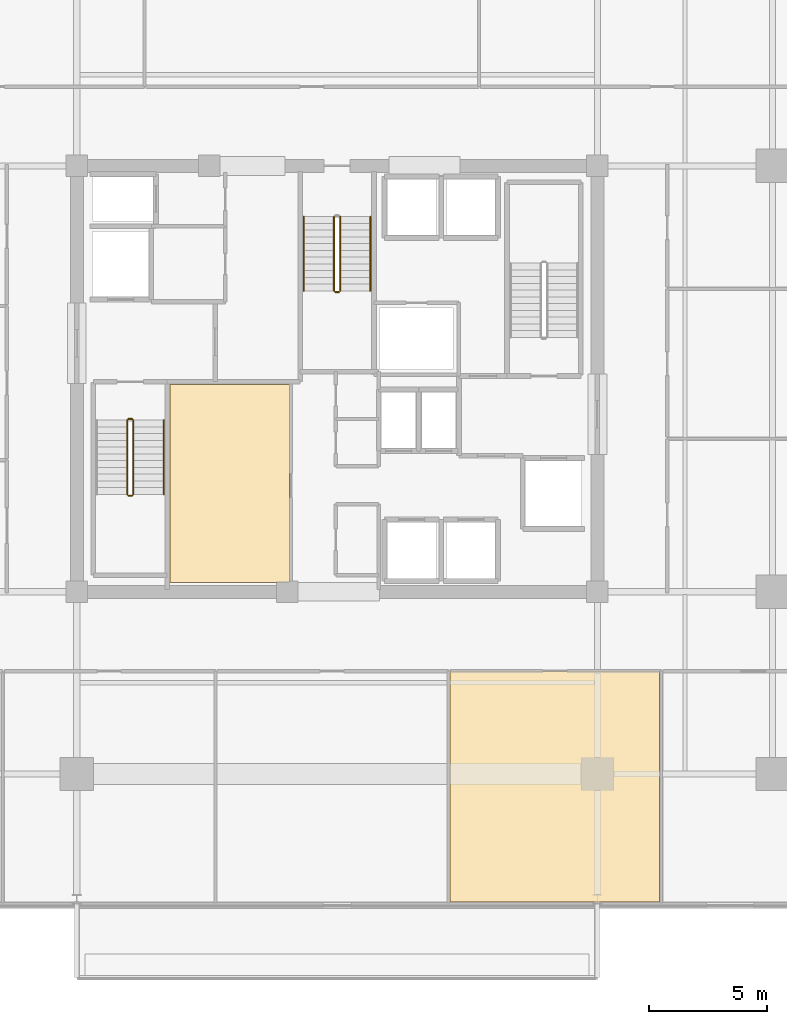
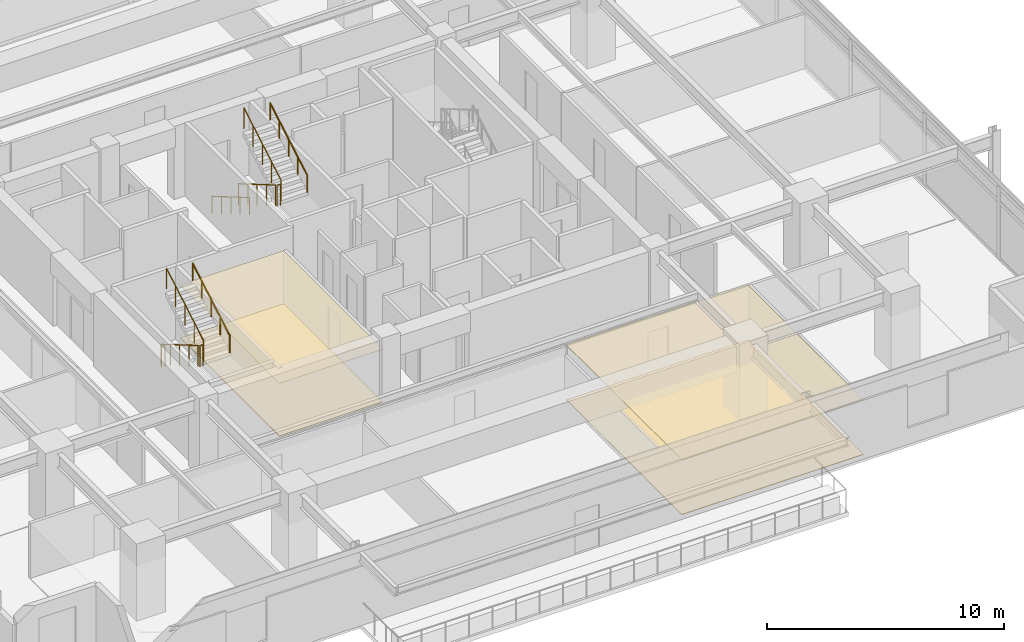
# One storey, part 19 of 22: 10 railings, 4 coverings.
"""IFC4 building model written with IfcOpenShell, lengths in metres."""

from ifc_helpers import new_model, si_unit, direction, frame, origin, origin_2d, place, context, subcontext, project, spatial, polyline, circle, outline, extrude, material, layer, layer_set, type_object, element, save


model = new_model("IFC4")

# Units and contexts
model_context = context("Model", 3, precision=1e-05, world=origin(), true_north=direction((0.0, 1.0)))
body_context = subcontext(model_context, "Body", "Model", "MODEL_VIEW")
ifc_project = project(units=[si_unit("LENGTHUNIT", "METRE"), si_unit("AREAUNIT", "SQUARE_METRE"), si_unit("VOLUMEUNIT", "CUBIC_METRE"), si_unit("PLANEANGLEUNIT", "RADIAN"), si_unit("MASSUNIT", "GRAM", prefix="KILO")], contexts=[model_context])

# Site, building, storey
site_placement = place(None, origin())
site = spatial("IfcSite", under=ifc_project, at=site_placement, CompositionType="ELEMENT")
building_placement = place(site_placement, origin())
building = spatial("IfcBuilding", under=site, at=building_placement, Name="Kovane Verandah Tower", CompositionType="ELEMENT")
storey_placement = place(building_placement, frame((0.0, 0.0, 225.199951171875)))
storey = spatial("IfcBuildingStorey", under=building, at=storey_placement, Name="L52", CompositionType="ELEMENT", Elevation=225.199951171875)

# Coverings
ifc_material_1 = material(Name="Perforated Acoustic Mineral-Fibre Ceiling Tile", Category="gypsum")
ifc_layer_1 = layer(ifc_material_1, 0.02490234375)
ifc_layer_set_1 = layer_set([ifc_layer_1], Name="Perforated Acoustic Mineral-Fibre Ceiling Tile")
covering_type_1 = type_object("IfcCoveringType", Name="CV-CEIL-25", PredefinedType="CEILING", material=ifc_layer_set_1)
covering_1_placement = place(storey_placement, frame((0.0, 0.0, 2.72998046875)))
element("IfcCovering", 1, at=covering_1_placement, inside=storey, type_object=covering_type_1, Name="L52 Tenant Wellness and Archive Suite Acoustic Ceiling", PredefinedType="CEILING", context=body_context, shape_type="SweptSolid", body=[
    extrude(outline(polyline([(32.93505859375, 18.885009765625), (37.9951171875, 18.885009765625), (37.9951171875, 27.264892578125), (32.93505859375, 27.264892578125), (32.93505859375, 18.885009765625)])), origin(), (0.0, 0.0, 1.0), 0.025146484375),
])
covering_2_placement = place(storey_placement, frame((0.0, 0.0, 2.824951171875)))
element("IfcCovering", 2, at=covering_2_placement, inside=storey, type_object=covering_type_1, Name="L52 Open Plan Office S4 Acoustic Ceiling", PredefinedType="CEILING", context=body_context, shape_type="SweptSolid", body=[
    extrude(outline(polyline([(44.780029296875, 5.393798828125), (53.632080078125, 5.393798828125), (53.632080078125, 15.14990234375), (44.780029296875, 15.14990234375), (44.780029296875, 5.393798828125)])), origin(), (0.0, 0.0, 1.0), 0.025146484375),
])
ifc_material_2 = material(Name="Polished Terrazzo and Raised-Access Carpet Tile Finish", Category="concrete")
ifc_layer_2 = layer(ifc_material_2, 0.030029296875)
ifc_layer_set_2 = layer_set([ifc_layer_2], Name="Polished Terrazzo and Raised-Access Carpet Tile Finish")
covering_type_2 = type_object("IfcCoveringType", Name="CV-FLOR-30", PredefinedType="FLOORING", material=ifc_layer_set_2)
covering_3_placement = place(storey_placement, origin())
element("IfcCovering", 3, at=covering_3_placement, inside=storey, type_object=covering_type_2, Name="L52 Tenant Wellness and Archive Suite Floor Finish", PredefinedType="FLOORING", context=body_context, shape_type="SweptSolid", body=[
    extrude(outline(polyline([(32.949951171875, 18.89990234375), (37.97998046875, 18.89990234375), (37.97998046875, 27.25), (32.949951171875, 27.25), (32.949951171875, 18.89990234375)])), origin(), (0.0, 0.0, 1.0), 0.030029296875),
])
covering_4_placement = place(storey_placement, origin())
element("IfcCovering", 4, at=covering_4_placement, inside=storey, type_object=covering_type_2, Name="L52 Open Plan Office S4 Floor Finish", PredefinedType="FLOORING", context=body_context, shape_type="SweptSolid", body=[
    extrude(outline(polyline([(44.780029296875, 5.393798828125), (53.632080078125, 5.393798828125), (53.632080078125, 15.14990234375), (44.780029296875, 15.14990234375), (44.780029296875, 5.393798828125)])), origin(), (0.0, 0.0, 1.0), 0.030029296875),
])

# Railings
ifc_material_3 = material(Name="Brushed Stainless Steel Handrail", Category="steel")
railing_type_1 = type_object("IfcRailingType", Name="RL-HAND-920", PredefinedType="HANDRAIL", material=ifc_material_3)
railing_1_placement = place(storey_placement, frame((32.669921875, 22.614990234375, 2.166748046875)))
element("IfcRailing", 5, at=railing_1_placement, inside=storey, type_object=railing_type_1, Name="L52 ST-01 stair handrail 2", PredefinedType="HANDRAIL", context=body_context, shape_type="SweptSolid", body=[
    extrude(circle(Radius=0.02392578125, at=origin_2d()), frame((0.0, 0.0, 0.8759765625), z_axis=(0.0, 0.863239559939, 0.504794475164), x_axis=(-1.0, 0.0, 0.0)), (0.0, 0.0, 1.0), 3.631591796875),
    extrude(circle(Radius=0.02099609375, at=origin_2d()), origin(), (0.0, 0.0, 1.0), 0.851806640625),
    extrude(circle(Radius=0.02099609375, at=origin_2d()), frame((0.0, 0.78369140625, 0.458251953125)), (0.0, 0.0, 1.0), 0.851806640625),
    extrude(circle(Radius=0.02099609375, at=origin_2d()), frame((0.0, 1.5673828125, 0.91650390625)), (0.0, 0.0, 1.0), 0.851806640625),
    extrude(circle(Radius=0.02099609375, at=origin_2d()), frame((0.0, 2.351318359375, 1.375)), (0.0, 0.0, 1.0), 0.851806640625),
    extrude(circle(Radius=0.02099609375, at=origin_2d()), frame((0.0, 3.135009765625, 1.833251953125)), (0.0, 0.0, 1.0), 0.851806640625),
])
railing_2_placement = place(storey_placement, frame((38.590087890625, 34.35009765625, 0.166748046875)))
element("IfcRailing", 6, at=railing_2_placement, inside=storey, type_object=railing_type_1, Name="L52 ST-03 stair handrail 1", PredefinedType="HANDRAIL", context=body_context, shape_type="SweptSolid", body=[
    extrude(circle(Radius=0.02392578125, at=origin_2d()), frame((0.0, 0.0, 0.8759765625), z_axis=(0.0, -0.863239559939, 0.504794475164), x_axis=(1.0, 0.0, 0.0)), (0.0, 0.0, 1.0), 3.631591796875),
    extrude(circle(Radius=0.02099609375, at=origin_2d()), origin(), (0.0, 0.0, 1.0), 0.851806640625),
    extrude(circle(Radius=0.02099609375, at=origin_2d()), frame((0.0, -0.78369140625, 0.458251953125)), (0.0, 0.0, 1.0), 0.851806640625),
    extrude(circle(Radius=0.02099609375, at=origin_2d()), frame((0.0, -1.5673828125, 0.91650390625)), (0.0, 0.0, 1.0), 0.851806640625),
    extrude(circle(Radius=0.02099609375, at=origin_2d()), frame((0.0, -2.351318359375, 1.375)), (0.0, 0.0, 1.0), 0.851806640625),
    extrude(circle(Radius=0.02099609375, at=origin_2d()), frame((0.0, -3.135009765625, 1.833251953125)), (0.0, 0.0, 1.0), 0.851806640625),
])
railing_3_placement = place(storey_placement, frame((41.409912109375, 31.215087890625, 2.166748046875)))
element("IfcRailing", 7, at=railing_3_placement, inside=storey, type_object=railing_type_1, Name="L52 ST-03 stair handrail 2", PredefinedType="HANDRAIL", context=body_context, shape_type="SweptSolid", body=[
    extrude(circle(Radius=0.02392578125, at=origin_2d()), frame((0.0, 0.0, 0.8759765625), z_axis=(0.0, 0.863239559939, 0.504794475164), x_axis=(-1.0, 0.0, 0.0)), (0.0, 0.0, 1.0), 3.631591796875),
    extrude(circle(Radius=0.02099609375, at=origin_2d()), origin(), (0.0, 0.0, 1.0), 0.851806640625),
    extrude(circle(Radius=0.02099609375, at=origin_2d()), frame((0.0, 0.78369140625, 0.458251953125)), (0.0, 0.0, 1.0), 0.851806640625),
    extrude(circle(Radius=0.02099609375, at=origin_2d()), frame((0.0, 1.5673828125, 0.91650390625)), (0.0, 0.0, 1.0), 0.851806640625),
    extrude(circle(Radius=0.02099609375, at=origin_2d()), frame((0.0, 2.351318359375, 1.375)), (0.0, 0.0, 1.0), 0.851806640625),
    extrude(circle(Radius=0.02099609375, at=origin_2d()), frame((0.0, 3.135009765625, 1.833251953125)), (0.0, 0.0, 1.0), 0.851806640625),
])
ifc_material_4 = material(Name="Painted Steel Stairwell Guardrail", Category="steel")
railing_type_2 = type_object("IfcRailingType", Name="RL-STGUARD-1120", PredefinedType="GUARDRAIL", material=ifc_material_4)
railing_4_placement = place(storey_placement, frame((31.1298828125, 25.75, 0.166748046875)))
element("IfcRailing", 8, at=railing_4_placement, inside=storey, type_object=railing_type_2, Name="L52 ST-01 stair guard 1", PredefinedType="GUARDRAIL", context=body_context, shape_type="SweptSolid", body=[
    extrude(circle(Radius=0.02392578125, at=origin_2d()), frame((0.0, 0.0, 1.076171875), z_axis=(0.0, -0.863239559939, 0.504794475164), x_axis=(1.0, 0.0, 0.0)), (0.0, 0.0, 1.0), 3.631591796875),
    extrude(circle(Radius=0.02099609375, at=origin_2d()), origin(), (0.0, 0.0, 1.0), 1.052001953125),
    extrude(circle(Radius=0.02099609375, at=origin_2d()), frame((0.0, -0.78369140625, 0.458251953125)), (0.0, 0.0, 1.0), 1.052001953125),
    extrude(circle(Radius=0.02099609375, at=origin_2d()), frame((0.0, -1.5673828125, 0.91650390625)), (0.0, 0.0, 1.0), 1.052001953125),
    extrude(circle(Radius=0.02099609375, at=origin_2d()), frame((0.0, -2.351318359375, 1.375)), (0.0, 0.0, 1.0), 1.052001953125),
    extrude(circle(Radius=0.02099609375, at=origin_2d()), frame((0.0, -3.135009765625, 1.833251953125)), (0.0, 0.0, 1.0), 1.052001953125),
])
railing_5_placement = place(storey_placement, frame((31.179931640625, 22.56494140625, 2.0)))
element("IfcRailing", 9, at=railing_5_placement, inside=storey, type_object=railing_type_2, Name="L52 ST-01 stair guard 2", PredefinedType="GUARDRAIL", context=body_context, shape_type="SweptSolid", body=[
    extrude(circle(Radius=0.02392578125, at=origin_2d()), frame((0.0, 0.0, 1.076171875), z_axis=(1.0, 0.0, 0.0), x_axis=(0.0, 1.0, 0.0)), (0.0, 0.0, 1.0), 0.16015625),
    extrude(circle(Radius=0.02099609375, at=origin_2d()), origin(), (0.0, 0.0, 1.0), 1.052001953125),
    extrude(circle(Radius=0.02099609375, at=origin_2d()), frame((0.16015625, 0.0, 0.0)), (0.0, 0.0, 1.0), 1.052001953125),
])
railing_6_placement = place(storey_placement, frame((31.389892578125, 22.614990234375, 2.166748046875)))
element("IfcRailing", 10, at=railing_6_placement, inside=storey, type_object=railing_type_2, Name="L52 ST-01 stair guard 3", PredefinedType="GUARDRAIL", context=body_context, shape_type="SweptSolid", body=[
    extrude(circle(Radius=0.02392578125, at=origin_2d()), frame((0.0, 0.0, 1.076171875), z_axis=(0.0, 0.863239559939, 0.504794475164), x_axis=(-1.0, 0.0, 0.0)), (0.0, 0.0, 1.0), 3.631591796875),
    extrude(circle(Radius=0.02099609375, at=origin_2d()), origin(), (0.0, 0.0, 1.0), 1.052001953125),
    extrude(circle(Radius=0.02099609375, at=origin_2d()), frame((0.0, 0.78369140625, 0.458251953125)), (0.0, 0.0, 1.0), 1.052001953125),
    extrude(circle(Radius=0.02099609375, at=origin_2d()), frame((0.0, 1.5673828125, 0.91650390625)), (0.0, 0.0, 1.0), 1.052001953125),
    extrude(circle(Radius=0.02099609375, at=origin_2d()), frame((0.0, 2.351318359375, 1.375)), (0.0, 0.0, 1.0), 1.052001953125),
    extrude(circle(Radius=0.02099609375, at=origin_2d()), frame((0.0, 3.135009765625, 1.833251953125)), (0.0, 0.0, 1.0), 1.052001953125),
])
railing_7_placement = place(storey_placement, frame((31.179931640625, 25.800048828125, 0.0)))
element("IfcRailing", 11, at=railing_7_placement, inside=storey, type_object=railing_type_2, Name="L52 ST-01 stair guard 4", PredefinedType="GUARDRAIL", context=body_context, shape_type="SweptSolid", body=[
    extrude(circle(Radius=0.02392578125, at=origin_2d()), frame((0.0, 0.0, 1.076171875), z_axis=(1.0, 0.0, 0.0), x_axis=(0.0, 1.0, 0.0)), (0.0, 0.0, 1.0), 0.16015625),
    extrude(circle(Radius=0.02099609375, at=origin_2d()), origin(), (0.0, 0.0, 1.0), 1.052001953125),
    extrude(circle(Radius=0.02099609375, at=origin_2d()), frame((0.16015625, 0.0, 0.0)), (0.0, 0.0, 1.0), 1.052001953125),
])
railing_8_placement = place(storey_placement, frame((39.8701171875, 34.35009765625, 0.166748046875)))
element("IfcRailing", 12, at=railing_8_placement, inside=storey, type_object=railing_type_2, Name="L52 ST-03 stair guard 1", PredefinedType="GUARDRAIL", context=body_context, shape_type="SweptSolid", body=[
    extrude(circle(Radius=0.02392578125, at=origin_2d()), frame((0.0, 0.0, 1.076171875), z_axis=(0.0, -0.863239559939, 0.504794475164), x_axis=(1.0, 0.0, 0.0)), (0.0, 0.0, 1.0), 3.631591796875),
    extrude(circle(Radius=0.02099609375, at=origin_2d()), origin(), (0.0, 0.0, 1.0), 1.052001953125),
    extrude(circle(Radius=0.02099609375, at=origin_2d()), frame((0.0, -0.78369140625, 0.458251953125)), (0.0, 0.0, 1.0), 1.052001953125),
    extrude(circle(Radius=0.02099609375, at=origin_2d()), frame((0.0, -1.5673828125, 0.91650390625)), (0.0, 0.0, 1.0), 1.052001953125),
    extrude(circle(Radius=0.02099609375, at=origin_2d()), frame((0.0, -2.351318359375, 1.375)), (0.0, 0.0, 1.0), 1.052001953125),
    extrude(circle(Radius=0.02099609375, at=origin_2d()), frame((0.0, -3.135009765625, 1.833251953125)), (0.0, 0.0, 1.0), 1.052001953125),
])
railing_9_placement = place(storey_placement, frame((39.919921875, 31.1650390625, 2.0)))
element("IfcRailing", 13, at=railing_9_placement, inside=storey, type_object=railing_type_2, Name="L52 ST-03 stair guard 2", PredefinedType="GUARDRAIL", context=body_context, shape_type="SweptSolid", body=[
    extrude(circle(Radius=0.02392578125, at=origin_2d()), frame((0.0, 0.0, 1.076171875), z_axis=(1.0, 0.0, 0.0), x_axis=(0.0, 1.0, 0.0)), (0.0, 0.0, 1.0), 0.16015625),
    extrude(circle(Radius=0.02099609375, at=origin_2d()), origin(), (0.0, 0.0, 1.0), 1.052001953125),
    extrude(circle(Radius=0.02099609375, at=origin_2d()), frame((0.16015625, 0.0, 0.0)), (0.0, 0.0, 1.0), 1.052001953125),
])
railing_10_placement = place(storey_placement, frame((40.1298828125, 31.215087890625, 2.166748046875)))
element("IfcRailing", 14, at=railing_10_placement, inside=storey, type_object=railing_type_2, Name="L52 ST-03 stair guard 3", PredefinedType="GUARDRAIL", context=body_context, shape_type="SweptSolid", body=[
    extrude(circle(Radius=0.02392578125, at=origin_2d()), frame((0.0, 0.0, 1.076171875), z_axis=(0.0, 0.863239559939, 0.504794475164), x_axis=(-1.0, 0.0, 0.0)), (0.0, 0.0, 1.0), 3.631591796875),
    extrude(circle(Radius=0.02099609375, at=origin_2d()), origin(), (0.0, 0.0, 1.0), 1.052001953125),
    extrude(circle(Radius=0.02099609375, at=origin_2d()), frame((0.0, 0.78369140625, 0.458251953125)), (0.0, 0.0, 1.0), 1.052001953125),
    extrude(circle(Radius=0.02099609375, at=origin_2d()), frame((0.0, 1.5673828125, 0.91650390625)), (0.0, 0.0, 1.0), 1.052001953125),
    extrude(circle(Radius=0.02099609375, at=origin_2d()), frame((0.0, 2.351318359375, 1.375)), (0.0, 0.0, 1.0), 1.052001953125),
    extrude(circle(Radius=0.02099609375, at=origin_2d()), frame((0.0, 3.135009765625, 1.833251953125)), (0.0, 0.0, 1.0), 1.052001953125),
])

save(model, "model.ifc")
